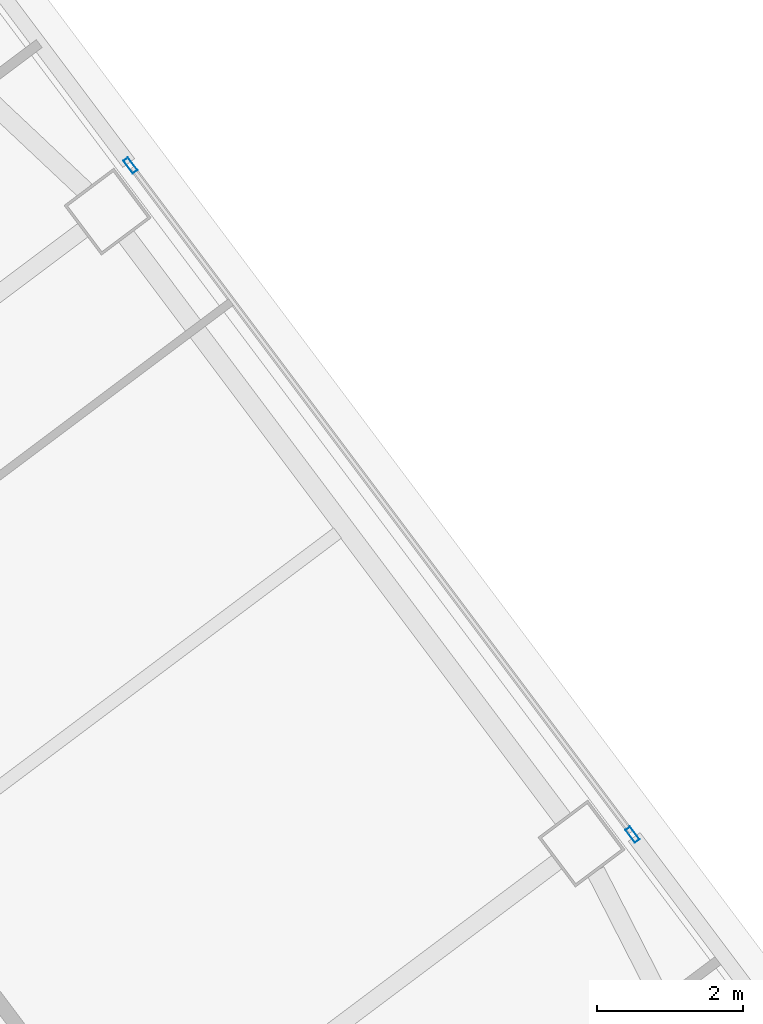
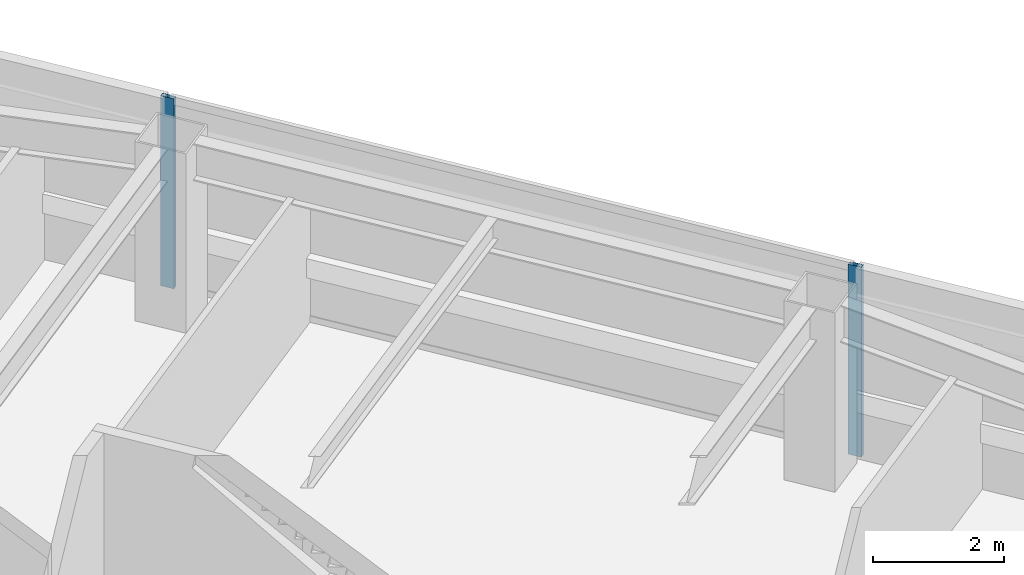
# One storey, part 29 of 44: 2 members, 1 element without a shape of its own.
"""IFC4 building model written with IfcOpenShell, lengths in metres."""

from ifc_helpers import new_model, si_unit, direction, frame, origin, origin_2d, place, context, subcontext, project, spatial, hollow_rectangle, extrude, material, material_profile, profile_set, type_object, element, aggregate, save


model = new_model("IFC4")

# Units and contexts
model_context = context("Model", 3, precision=1e-05, world=origin(), true_north=direction((0.0, 1.0)))
body_context = subcontext(model_context, "Body", "Model", "MODEL_VIEW")
ifc_project = project(units=[si_unit("LENGTHUNIT", "METRE"), si_unit("AREAUNIT", "SQUARE_METRE"), si_unit("VOLUMEUNIT", "CUBIC_METRE"), si_unit("PLANEANGLEUNIT", "RADIAN"), si_unit("MASSUNIT", "GRAM", prefix="KILO")], contexts=[model_context])

# Site, building, storey
site_placement = place(None, origin())
site = spatial("IfcSite", under=ifc_project, at=site_placement, CompositionType="ELEMENT")
building_placement = place(site_placement, origin())
building = spatial("IfcBuilding", under=site, at=building_placement, Name="Tashvorn Skyway Center", CompositionType="ELEMENT")
storey_placement = place(building_placement, frame((0.0, 0.0, 84.949951171875)))
storey = spatial("IfcBuildingStorey", under=building, at=storey_placement, Name="L22", CompositionType="ELEMENT", Elevation=84.949951171875)

# Curtain wall, members
ifc_material = material(Name="Thermally broken bronze-anodized aluminium 6063-T6", Category="aluminium")
curtain_wall_type = type_object("IfcCurtainWallType", Name="CW-CW-Z2", PredefinedType="NOTDEFINED", material=ifc_material)
curtain_wall_placement = place(storey_placement, origin())
curtain_wall = element("IfcCurtainWall", 1, at=curtain_wall_placement, inside=storey, type_object=curtain_wall_type, Name="Tower 2 L22 East Unitised Curtain Wall Glazing Group 2", PredefinedType="NOTDEFINED")
ifc_material_profile = material_profile(ifc_material, hollow_rectangle(XDim=0.080078125, YDim=0.219970703125, WallThickness=0.0048828125, at=origin_2d()), Name="ALU-MULL-80x220")
ifc_profile_set = profile_set([ifc_material_profile], Name="Thermally broken bronze-anodized aluminium 6063-T6")
member_type = type_object("IfcMemberType", Name="CWM-CW-Z2", PredefinedType="MULLION", material=ifc_profile_set)
member_1_placement = place(storey_placement, frame((126.471923828125, 48.50390625, 0.0), z_axis=(0.0, 0.0, 1.0), x_axis=(0.799999999998, 0.600000000002, 0.0)))
member_1 = element("IfcMember", 2, at=member_1_placement, type_object=member_type, Name="CW-Z2 mullion 1", PredefinedType="MULLION", context=body_context, shape_type="SweptSolid", body=[
    extrude(hollow_rectangle(XDim=0.080078125, YDim=0.219970703125, WallThickness=0.0048828125, at=origin_2d()), origin(), (0.0, 0.0, 1.0), 3.550048828125),
])
member_2_placement = place(storey_placement, frame((133.3359375, 39.35205078125, 0.0), z_axis=(0.0, 0.0, 1.0), x_axis=(0.799999999998, 0.600000000002, 0.0)))
member_2 = element("IfcMember", 3, at=member_2_placement, type_object=member_type, Name="CW-Z2 mullion 2", PredefinedType="MULLION", context=body_context, shape_type="SweptSolid", body=[
    extrude(hollow_rectangle(XDim=0.080078125, YDim=0.219970703125, WallThickness=0.0048828125, at=origin_2d()), origin(), (0.0, 0.0, 1.0), 3.550048828125),
])
aggregate(curtain_wall, [member_1, member_2])

save(model, "model.ifc")
